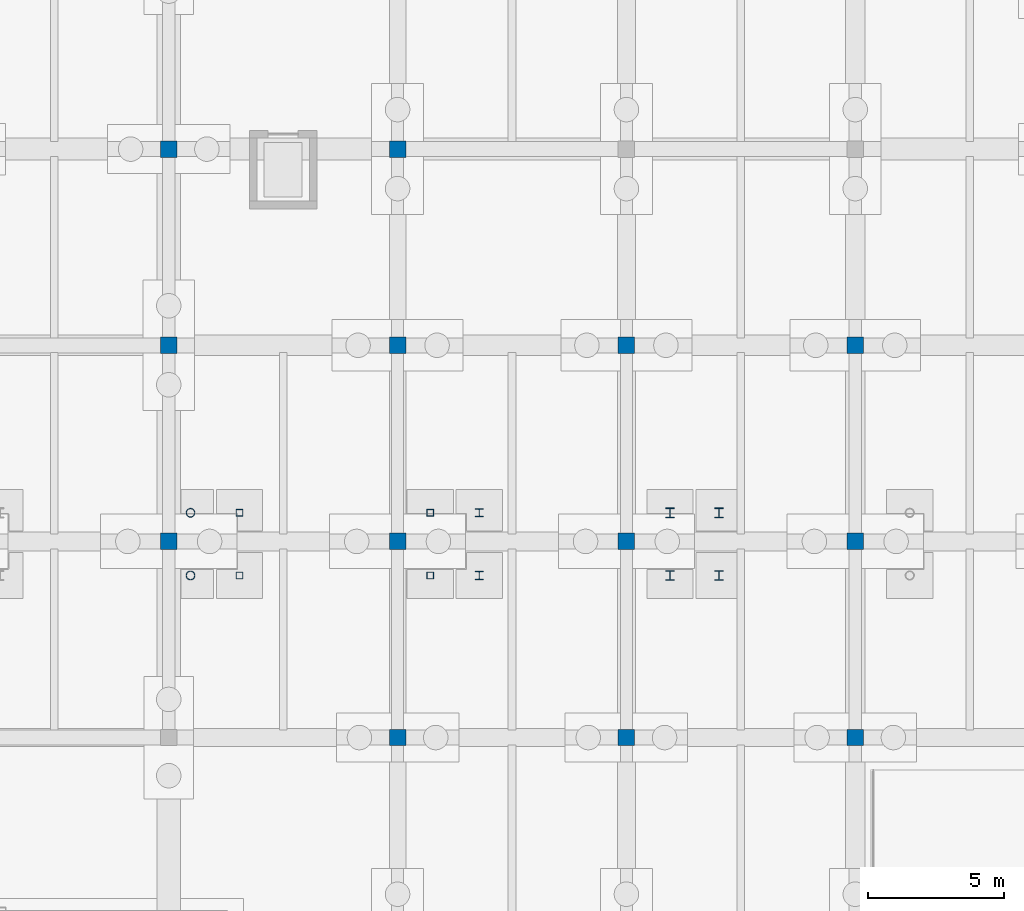
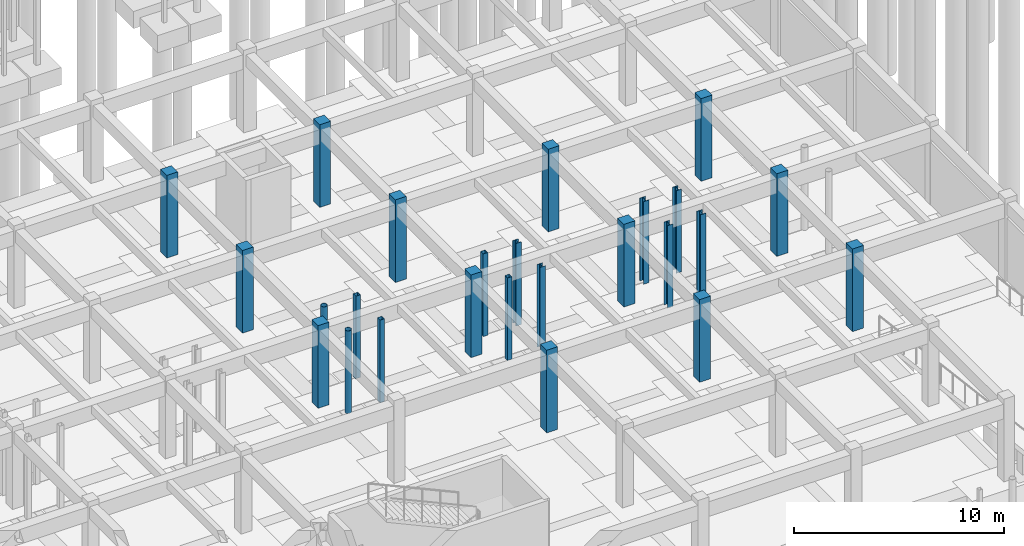
# One storey, part 36 of 80: 25 columns.
"""IFC4 building model written with IfcOpenShell, lengths in metres."""

from ifc_helpers import new_model, si_unit, direction, frame, origin, origin_2d, place, context, subcontext, project, spatial, rectangle, hollow_rectangle, hollow_circle, i_section, extrude, material, material_profile, profile_set, type_object, element, save


model = new_model("IFC4")

# Units and contexts
model_context = context("Model", 3, precision=1e-05, world=origin(), true_north=direction((0.0, 1.0)))
body_context = subcontext(model_context, "Body", "Model", "MODEL_VIEW")
ifc_project = project(units=[si_unit("LENGTHUNIT", "METRE"), si_unit("AREAUNIT", "SQUARE_METRE"), si_unit("VOLUMEUNIT", "CUBIC_METRE"), si_unit("PLANEANGLEUNIT", "RADIAN"), si_unit("MASSUNIT", "GRAM", prefix="KILO")], contexts=[model_context])

# Site, building, storey
site_placement = place(None, origin())
site = spatial("IfcSite", under=ifc_project, at=site_placement, CompositionType="ELEMENT")
building_placement = place(site_placement, origin())
building = spatial("IfcBuilding", under=site, at=building_placement, Name="Malvenik Polytechnic", CompositionType="ELEMENT")
storey_placement = place(building_placement, frame((0.0, 0.0, -4.800048828125)))
storey = spatial("IfcBuildingStorey", under=building, at=storey_placement, Name="B1", CompositionType="ELEMENT", Elevation=-4.800048828125)

# Columns
ifc_material_1 = material(Name="Concrete C35/45", Category="concrete")
ifc_material_profile_1 = material_profile(ifc_material_1, rectangle(XDim=0.60009765625, YDim=0.60009765625, at=origin_2d()), Name="RC COL 600x600")
ifc_profile_set_1 = profile_set([ifc_material_profile_1], Name="Concrete C35/45")
column_type_1 = type_object("IfcColumnType", Name="STR-COL-C-06", PredefinedType="COLUMN", material=ifc_profile_set_1)
for number, where, z_axis, x_axis, name in (
    (1, (100.800048828125, 72.0, 0.0), (0.0, 0.0, 1.0), (1.0, 0.0, 0.0), "Column C-06 B1 (100.8,72.0)"),
    (2, (100.800048828125, 79.199951171875, 0.0), (0.0, 0.0, 1.0), (1.0, 0.0, 0.0), "Column C-06 B1 (100.8,79.2)"),
    (3, (100.800048828125, 86.39990234375, 0.0), (0.0, 0.0, 1.0), (1.0, 0.0, 0.0), "Column C-06 B1 (100.8,86.4)"),
    (4, (109.199951171875, 64.800048828125, 0.0), (0.0, 0.0, 1.0), (1.0, 0.0, 0.0), "Column C-06 B1 (109.2,64.8)"),
    (5, (109.199951171875, 72.0, 0.0), (0.0, 0.0, 1.0), (1.0, 0.0, 0.0), "Column C-06 B1 (109.2,72.0)"),
    (6, (109.199951171875, 79.199951171875, 0.0), (0.0, 0.0, 1.0), (1.0, 0.0, 0.0), "Column C-06 B1 (109.2,79.2)"),
    (7, (109.199951171875, 86.39990234375, 0.0), (0.0, 0.0, 1.0), (1.0, 0.0, 0.0), "Column C-06 B1 (109.2,86.4)"),
    (8, (117.60009765625, 64.800048828125, 0.0), (0.0, 0.0, 1.0), (1.0, 0.0, 0.0), "Column C-06 B1 (117.6,64.8)"),
    (9, (117.60009765625, 72.0, 0.0), (0.0, 0.0, 1.0), (1.0, 0.0, 0.0), "Column C-06 B1 (117.6,72.0)"),
    (10, (117.60009765625, 79.199951171875, 0.0), (0.0, 0.0, 1.0), (1.0, 0.0, 0.0), "Column C-06 B1 (117.6,79.2)"),
    (11, (126.0, 64.800048828125, 0.0), (0.0, 0.0, 1.0), (1.0, 0.0, 0.0), "Column C-06 B1 (126.0,64.8)"),
    (12, (126.0, 72.0, 0.0), (0.0, 0.0, 1.0), (1.0, 0.0, 0.0), "Column C-06 B1 (126.0,72.0)"),
    (13, (126.0, 79.199951171875, 0.0), (0.0, 0.0, 1.0), (1.0, 0.0, 0.0), "Column C-06 B1 (126.0,79.2)"),
):
    element("IfcColumn", number, at=place(storey_placement, frame(where, z_axis=z_axis, x_axis=x_axis)), inside=storey, type_object=column_type_1, Name=name, PredefinedType="COLUMN", context=body_context, shape_type="SweptSolid", body=[
        extrude(rectangle(XDim=0.60009765625, YDim=0.60009765625, at=origin_2d()), origin(), (0.0, 0.0, 1.0), 4.800048828125),
    ])
ifc_material_2 = material(Name="Steel S355J2H", Category="steel")
ifc_material_profile_2 = material_profile(ifc_material_2, hollow_rectangle(XDim=0.25, YDim=0.25, WallThickness=0.010009765625, at=origin_2d()), Name="SHS 250x250x10.0")
ifc_profile_set_2 = profile_set([ifc_material_profile_2], Name="Steel S355J2H")
column_type_2 = type_object("IfcColumnType", Name="STR-SCOL-SC-01", PredefinedType="COLUMN", material=ifc_profile_set_2)
for number, where, z_axis, x_axis, name in (
    (14, (110.39990234375, 70.75, 0.0), (0.0, 0.0, 1.0), (1.0, 0.0, 0.0), "Bridge-Ramp Support Column SC-01 B1"),
    (15, (110.39990234375, 73.050048828125, 0.0), (0.0, 0.0, 1.0), (1.0, 0.0, 0.0), "Bridge-Ramp Support Column SC-01 B1"),
    (16, (103.39990234375, 70.75, 0.0), (0.0, 0.0, 1.0), (1.0, 0.0, 0.0), "Bridge-Ramp Support Column SC-01 B1"),
    (17, (103.39990234375, 73.050048828125, 0.0), (0.0, 0.0, 1.0), (1.0, 0.0, 0.0), "Bridge-Ramp Support Column SC-01 B1"),
):
    element("IfcColumn", number, at=place(storey_placement, frame(where, z_axis=z_axis, x_axis=x_axis)), inside=storey, type_object=column_type_2, Name=name, PredefinedType="COLUMN", context=body_context, shape_type="SweptSolid", body=[
        extrude(hollow_rectangle(XDim=0.25, YDim=0.25, WallThickness=0.010009765625, at=origin_2d()), origin(), (0.0, 0.0, 1.0), 4.800048828125),
    ])
ifc_material_3 = material(Name="Steel S355", Category="steel")
ifc_material_profile_3 = material_profile(ifc_material_3, i_section(OverallWidth=0.300048828125, OverallDepth=0.360107421875, WebThickness=0.012451171875, FlangeThickness=0.0224609375, FilletRadius=0.027099609375, at=origin_2d()), Name="HEB 360")
ifc_profile_set_3 = profile_set([ifc_material_profile_3], Name="Steel S355")
column_type_3 = type_object("IfcColumnType", Name="STR-SCOL-SC-03", PredefinedType="COLUMN", material=ifc_profile_set_3)
for number, where, z_axis, x_axis, name in (
    (18, (121.0, 70.75, 0.0), (0.0, 0.0, 1.0), (1.0, 0.0, 0.0), "Bridge-Ramp Support Column SC-03 B1"),
    (19, (121.0, 73.050048828125, 0.0), (0.0, 0.0, 1.0), (1.0, 0.0, 0.0), "Bridge-Ramp Support Column SC-03 B1"),
    (20, (119.199951171875, 70.75, 0.0), (0.0, 0.0, 1.0), (1.0, 0.0, 0.0), "Bridge-Ramp Support Column SC-03 B1"),
    (21, (119.199951171875, 73.050048828125, 0.0), (0.0, 0.0, 1.0), (1.0, 0.0, 0.0), "Bridge-Ramp Support Column SC-03 B1"),
):
    element("IfcColumn", number, at=place(storey_placement, frame(where, z_axis=z_axis, x_axis=x_axis)), inside=storey, type_object=column_type_3, Name=name, PredefinedType="COLUMN", context=body_context, shape_type="SweptSolid", body=[
        extrude(i_section(OverallWidth=0.300048828125, OverallDepth=0.360107421875, WebThickness=0.012451171875, FlangeThickness=0.0224609375, FilletRadius=0.027099609375, at=origin_2d()), origin(), (0.0, 0.0, 1.0), 4.800048828125),
    ])
ifc_material_profile_4 = material_profile(ifc_material_2, hollow_circle(Radius=0.161865234375, WallThickness=0.012451171875, at=origin_2d()), Name="CHS 323.9x12.5")
ifc_profile_set_4 = profile_set([ifc_material_profile_4], Name="Steel S355J2H")
column_type_4 = type_object("IfcColumnType", Name="STR-SCOL-SC-04", PredefinedType="COLUMN", material=ifc_profile_set_4)
for number, where, z_axis, x_axis, name in (
    (22, (101.60009765625, 70.75, 0.0), (0.0, 0.0, 1.0), (1.0, 0.0, 0.0), "Bridge-Ramp Support Column SC-04 B1"),
    (23, (101.60009765625, 73.050048828125, 0.0), (0.0, 0.0, 1.0), (1.0, 0.0, 0.0), "Bridge-Ramp Support Column SC-04 B1"),
):
    element("IfcColumn", number, at=place(storey_placement, frame(where, z_axis=z_axis, x_axis=x_axis)), inside=storey, type_object=column_type_4, Name=name, PredefinedType="COLUMN", context=body_context, shape_type="SweptSolid", body=[
        extrude(hollow_circle(Radius=0.161865234375, WallThickness=0.012451171875, at=origin_2d()), origin(), (0.0, 0.0, 1.0), 4.800048828125),
    ])
ifc_material_profile_5 = material_profile(ifc_material_3, i_section(OverallWidth=0.300048828125, OverallDepth=0.300048828125, WebThickness=0.010986328125, FlangeThickness=0.01904296875, FilletRadius=0.027099609375, at=origin_2d()), Name="HEB 300")
ifc_profile_set_5 = profile_set([ifc_material_profile_5], Name="Steel S355")
column_type_5 = type_object("IfcColumnType", Name="STR-SCOL-SC-05", PredefinedType="COLUMN", material=ifc_profile_set_5)
for number, where, z_axis, x_axis, name in (
    (24, (112.199951171875, 70.75, 0.0), (0.0, 0.0, 1.0), (1.0, 0.0, 0.0), "Bridge-Ramp Support Column SC-05 B1"),
    (25, (112.199951171875, 73.050048828125, 0.0), (0.0, 0.0, 1.0), (1.0, 0.0, 0.0), "Bridge-Ramp Support Column SC-05 B1"),
):
    element("IfcColumn", number, at=place(storey_placement, frame(where, z_axis=z_axis, x_axis=x_axis)), inside=storey, type_object=column_type_5, Name=name, PredefinedType="COLUMN", context=body_context, shape_type="SweptSolid", body=[
        extrude(i_section(OverallWidth=0.300048828125, OverallDepth=0.300048828125, WebThickness=0.010986328125, FlangeThickness=0.01904296875, FilletRadius=0.027099609375, at=origin_2d()), origin(), (0.0, 0.0, 1.0), 4.800048828125),
    ])

save(model, "model.ifc")
